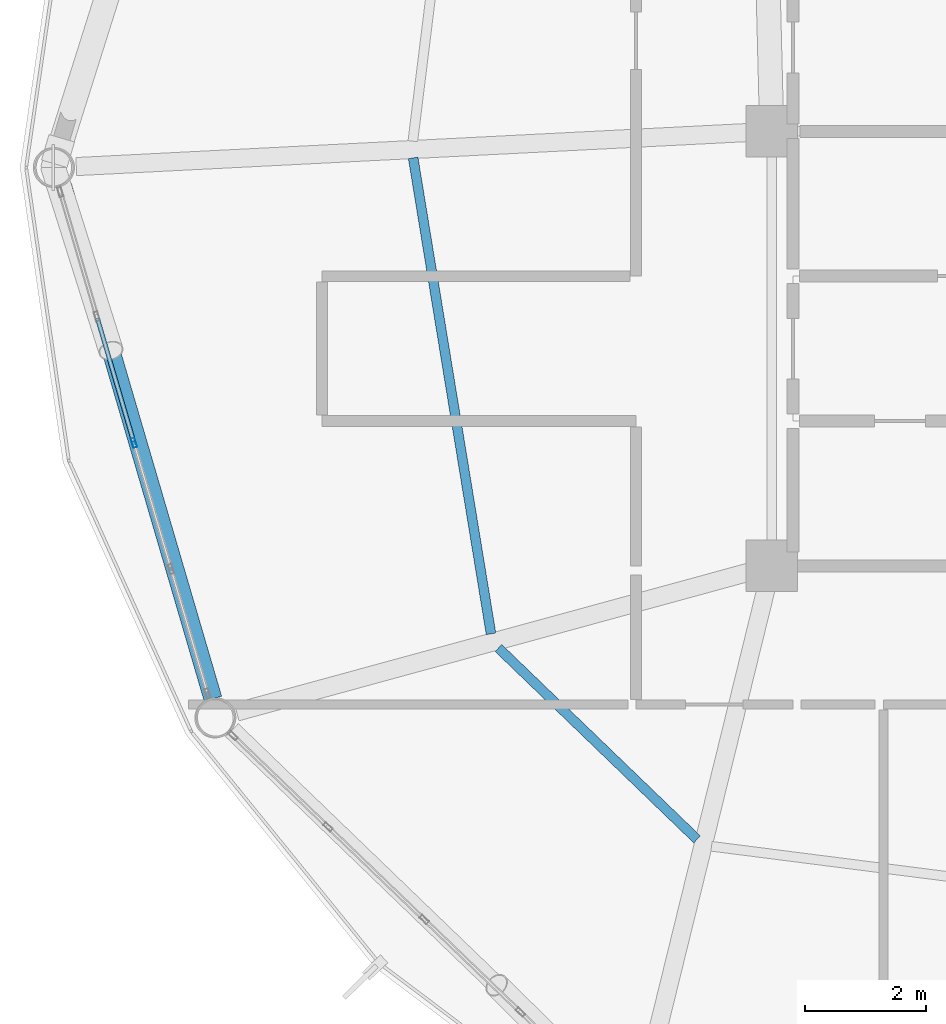
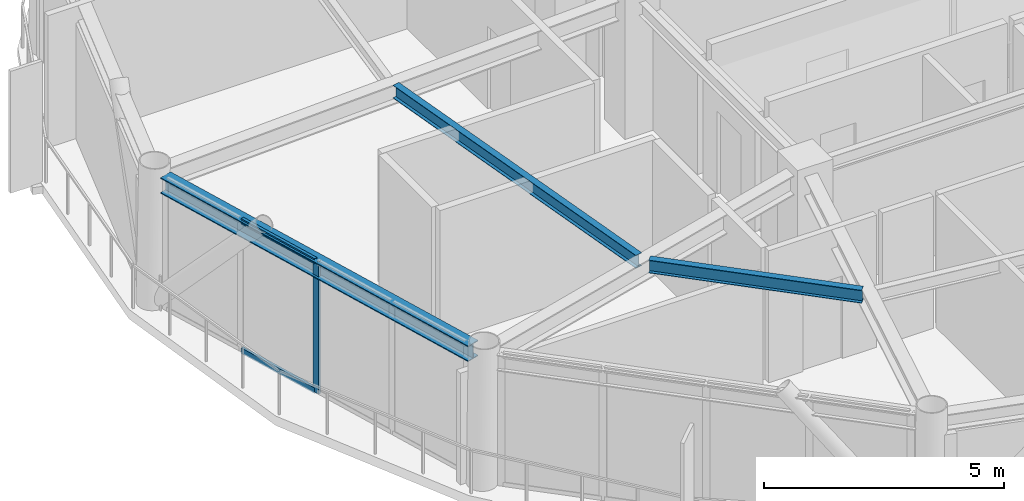
# One storey, part 5 of 28: 3 beams, 3 members, 1 element without a shape of its own.
"""IFC4 building model written with IfcOpenShell, lengths in metres."""

from ifc_helpers import new_model, si_unit, direction, frame, origin, origin_2d, place, context, subcontext, project, spatial, hollow_rectangle, i_section, extrude, material, layer, layer_set, material_profile, profile_set, type_object, element, aggregate, save


model = new_model("IFC4")

# Units and contexts
model_context = context("Model", 3, precision=1e-05, world=origin(), true_north=direction((0.0, 1.0)))
body_context = subcontext(model_context, "Body", "Model", "MODEL_VIEW")
ifc_project = project(units=[si_unit("LENGTHUNIT", "METRE"), si_unit("AREAUNIT", "SQUARE_METRE"), si_unit("VOLUMEUNIT", "CUBIC_METRE"), si_unit("PLANEANGLEUNIT", "RADIAN"), si_unit("MASSUNIT", "GRAM", prefix="KILO")], contexts=[model_context])

# Site, building, storey
site_placement = place(None, origin())
site = spatial("IfcSite", under=ifc_project, at=site_placement, CompositionType="ELEMENT")
building_placement = place(site_placement, origin())
building = spatial("IfcBuilding", under=site, at=building_placement, Name="Varnakorn Sky Granary", CompositionType="ELEMENT")
storey_placement = place(building_placement, frame((0.0, 0.0, 214.800048828125)))
storey = spatial("IfcBuildingStorey", under=building, at=storey_placement, Name="L54", CompositionType="ELEMENT", Elevation=214.800048828125)

# Beams
ifc_material_1 = material(Name="Steel S355JR", Category="steel")
ifc_material_profile_1 = material_profile(ifc_material_1, i_section(OverallWidth=0.159912109375, OverallDepth=0.330078125, WebThickness=0.007568359375, FlangeThickness=0.011474609375, at=origin_2d()), Name="IPE 330")
ifc_profile_set_1 = profile_set([ifc_material_profile_1], Name="Steel S355JR")
beam_type_1 = type_object("IfcBeamType", Name="BM-SEC-Z4", PredefinedType="BEAM", material=ifc_profile_set_1)
beam_1_placement = place(storey_placement, frame((-8.290771484375, 0.159423828125, 3.195068359375), z_axis=(0.161455021945, -0.986880071685, 0.0), x_axis=(0.986880071685, 0.161455021945, 0.0)))
element("IfcBeam", 1, at=beam_1_placement, inside=storey, type_object=beam_type_1, Name="Secondary Floor Chord Beam MSB07 L54", PredefinedType="BEAM", context=body_context, shape_type="SweptSolid", body=[
    extrude(i_section(OverallWidth=0.159912109375, OverallDepth=0.330078125, WebThickness=0.007568359375, FlangeThickness=0.011474609375, at=origin_2d()), origin(), (0.0, 0.0, 1.0), 7.989990234375),
])
beam_2_placement = place(storey_placement, frame((-6.87744140625, -7.961181640625, 3.195068359375), z_axis=(0.72012934526, -0.693839841819, 0.0), x_axis=(0.693839841819, 0.72012934526, 0.0)))
element("IfcBeam", 2, at=beam_2_placement, inside=storey, type_object=beam_type_1, Name="Secondary Floor Chord Beam MSB08 L54", PredefinedType="BEAM", context=body_context, shape_type="SweptSolid", body=[
    extrude(i_section(OverallWidth=0.159912109375, OverallDepth=0.330078125, WebThickness=0.007568359375, FlangeThickness=0.011474609375, at=origin_2d()), origin(), (0.0, 0.0, 1.0), 4.569091796875),
])
ifc_material_profile_2 = material_profile(ifc_material_1, i_section(OverallWidth=0.300048828125, OverallDepth=0.39990234375, WebThickness=0.013427734375, FlangeThickness=0.02392578125, at=origin_2d()), Name="HE 400 B")
ifc_profile_set_2 = profile_set([ifc_material_profile_2], Name="Steel S355JR")
beam_type_2 = type_object("IfcBeamType", Name="BM-SPD-Z4", PredefinedType="SPANDREL", material=ifc_profile_set_2)
beam_3_placement = place(storey_placement, frame((-14.098388671875, -0.30224609375, 3.159912109375), z_axis=(0.281151394654, -0.959663427085, 0.0), x_axis=(0.959663427085, 0.281151394654, 0.0)))
element("IfcBeam", 3, at=beam_3_placement, inside=storey, type_object=beam_type_2, Name="Perimeter Spandrel Ring Beam RB07 L54", PredefinedType="SPANDREL", context=body_context, shape_type="SweptSolid", body=[
    extrude(i_section(OverallWidth=0.300048828125, OverallDepth=0.39990234375, WebThickness=0.013427734375, FlangeThickness=0.02392578125, at=origin_2d()), origin(), (0.0, 0.0, 1.0), 8.857177734375),
])

# Curtain wall, members
ifc_material_2 = material(Name="Anodised Bronze Aluminium Alloy 6063-T6", Category="aluminium")
ifc_layer = layer(ifc_material_2, 0.169921875, Name="Anodised Bronze Aluminium Alloy 6063-T6")
ifc_layer_set = layer_set([ifc_layer], Name="Anodised Bronze Aluminium Alloy 6063-T6")
curtain_wall_type = type_object("IfcCurtainWallType", Name="CW-LAB-1", PredefinedType="USERDEFINED", material=ifc_layer_set)
curtain_wall_placement = place(storey_placement, origin())
curtain_wall = element("IfcCurtainWall", 4, at=curtain_wall_placement, inside=storey, type_object=curtain_wall_type, Name="Unitised Curtain Wall CW5 CW-L54-B07", ObjectType="CURTAIN WALL", PredefinedType="USERDEFINED")
ifc_material_profile_3 = material_profile(ifc_material_2, hollow_rectangle(XDim=0.06494140625, YDim=0.159912109375, WallThickness=0.00341796875, at=origin_2d()), Name="ALU MULL 65x160")
ifc_profile_set_3 = profile_set([ifc_material_profile_3], Name="Anodised Bronze Aluminium Alloy 6063-T6")
member_type_1 = type_object("IfcMemberType", Name="CW-LAB-1-MULL", PredefinedType="MULLION", material=ifc_profile_set_3)
member_1_placement = place(storey_placement, frame((-12.916748046875, -4.560546875, 0.0), z_axis=(0.0, 0.0, 1.0), x_axis=(-0.959539962352, -0.281572478502, 0.0)))
member_1 = element("IfcMember", 5, at=member_1_placement, type_object=member_type_1, Name="CW5 mullion 3", PredefinedType="MULLION", context=body_context, shape_type="SweptSolid", body=[
    extrude(hollow_rectangle(XDim=0.06494140625, YDim=0.159912109375, WallThickness=0.00341796875, at=origin_2d()), origin(), (0.0, 0.0, 1.0), 3.35986328125),
])
ifc_material_profile_4 = material_profile(ifc_material_2, hollow_rectangle(XDim=0.070068359375, YDim=0.139892578125, WallThickness=0.00341796875, at=origin_2d()), Name="ALU TRAN 70x140")
ifc_profile_set_4 = profile_set([ifc_material_profile_4], Name="Anodised Bronze Aluminium Alloy 6063-T6")
member_type_2 = type_object("IfcMemberType", Name="CW-LAB-1-TRAN", PredefinedType="USERDEFINED", material=ifc_profile_set_4)
member_2_placement = place(storey_placement, frame((-12.92578125, -4.529296875, 0.034912109375), z_axis=(-0.28158544815, 0.959536156375, 0.0), x_axis=(-0.959536156375, -0.28158544815, 0.0)))
member_2 = element("IfcMember", 6, at=member_2_placement, type_object=member_type_2, Name="CW5 transom 3.1", ObjectType="TRANSOM", PredefinedType="USERDEFINED", context=body_context, shape_type="SweptSolid", body=[
    extrude(hollow_rectangle(XDim=0.070068359375, YDim=0.139892578125, WallThickness=0.00341796875, at=origin_2d()), origin(), (0.0, 0.0, 1.0), 2.116455078125),
])
member_3_placement = place(storey_placement, frame((-12.92578125, -4.529296875, 3.324951171875), z_axis=(-0.28158544815, 0.959536156375, 0.0), x_axis=(-0.959536156375, -0.28158544815, 0.0)))
member_3 = element("IfcMember", 7, at=member_3_placement, type_object=member_type_2, Name="CW5 transom 3.2", ObjectType="TRANSOM", PredefinedType="USERDEFINED", context=body_context, shape_type="SweptSolid", body=[
    extrude(hollow_rectangle(XDim=0.070068359375, YDim=0.139892578125, WallThickness=0.00341796875, at=origin_2d()), origin(), (0.0, 0.0, 1.0), 2.116455078125),
])
aggregate(curtain_wall, [member_1, member_2, member_3])

save(model, "model.ifc")
